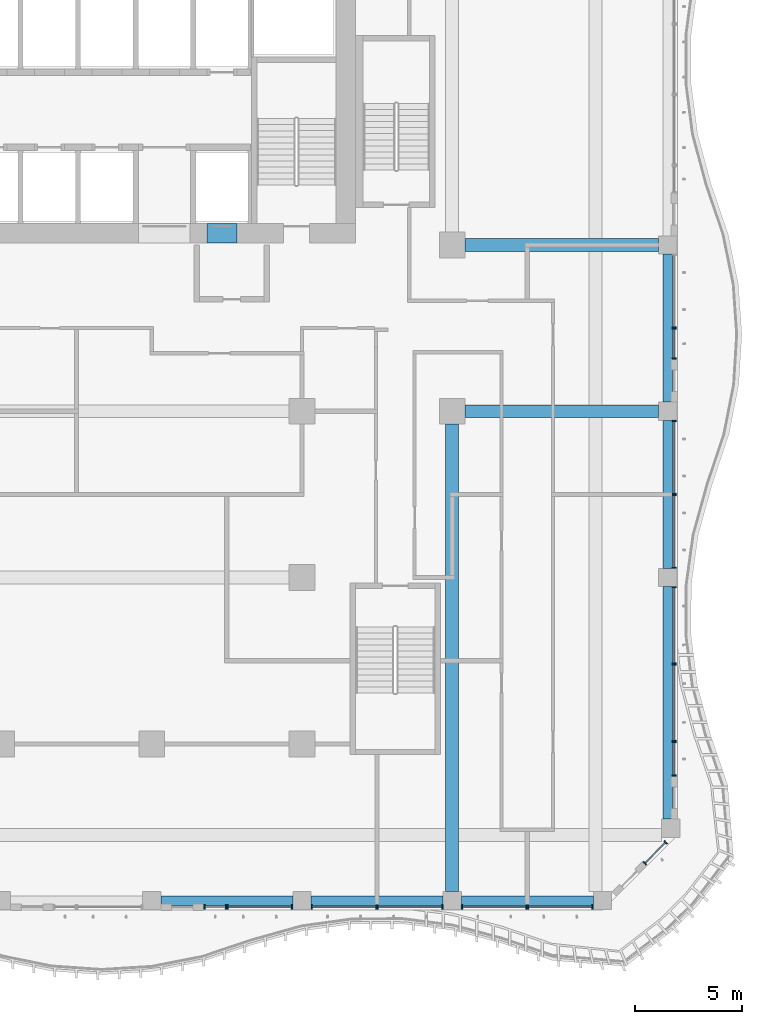
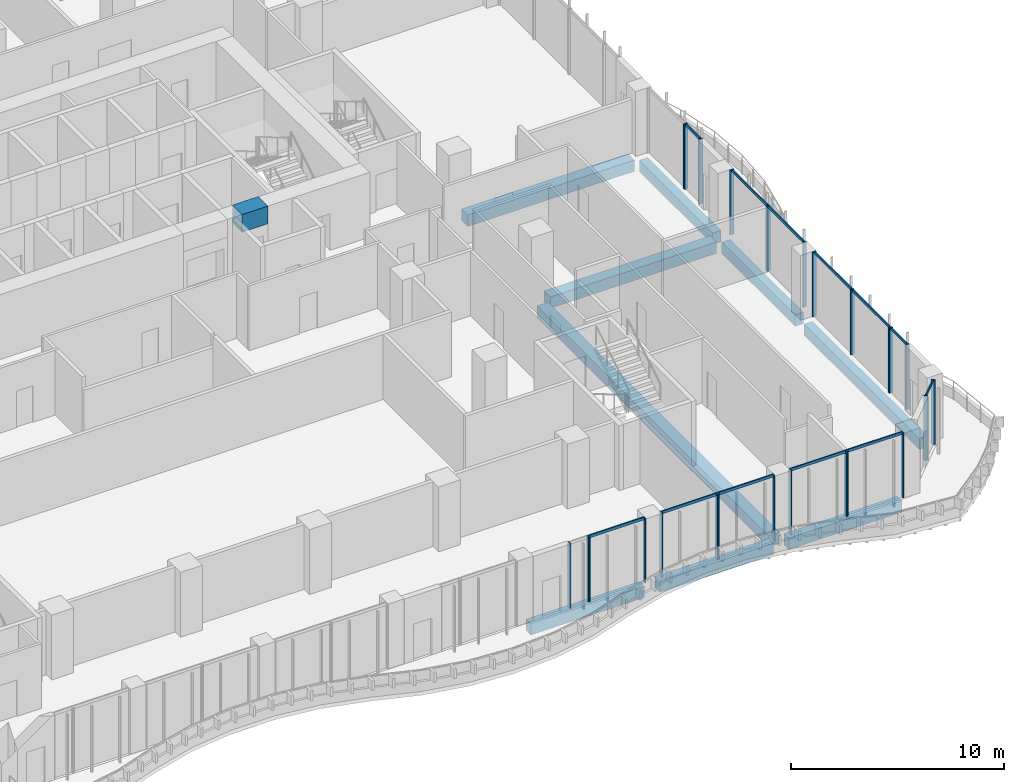
# One storey, part 6 of 27: 39 members, 10 beams, 14 elements without a shape of their own.
"""IFC4 building model written with IfcOpenShell, lengths in metres."""

from ifc_helpers import new_model, si_unit, direction, frame, origin, origin_2d, place, context, subcontext, project, spatial, rectangle, extrude, source, transform, mapped, material, material_profile, profile_set, type_object, element, aggregate, save


model = new_model("IFC4")

# Units and contexts
model_context = context("Model", 3, precision=1e-05, world=origin(), true_north=direction((0.0, 1.0)))
body_context = subcontext(model_context, "Body", "Model", "MODEL_VIEW")
ifc_project = project(units=[si_unit("LENGTHUNIT", "METRE"), si_unit("AREAUNIT", "SQUARE_METRE"), si_unit("VOLUMEUNIT", "CUBIC_METRE"), si_unit("PLANEANGLEUNIT", "RADIAN"), si_unit("MASSUNIT", "GRAM", prefix="KILO")], contexts=[model_context])

# Site, building, storey
site_placement = place(None, origin())
site = spatial("IfcSite", under=ifc_project, at=site_placement, CompositionType="ELEMENT")
building_placement = place(site_placement, origin())
building = spatial("IfcBuilding", under=site, at=building_placement, Name="Kilnfold Tower and Market Hall", CompositionType="ELEMENT")
storey_placement = place(building_placement, frame((0.0, 0.0, 112.60009765625)))
storey = spatial("IfcBuildingStorey", under=building, at=storey_placement, Name="L26", CompositionType="ELEMENT", Elevation=112.60009765625)

# Beams
ifc_material_1 = material(Name="Concrete C70", Category="concrete")
ifc_material_profile_1 = material_profile(ifc_material_1, rectangle(XDim=0.89990234375, YDim=1.02001953125, at=origin_2d()), Name="RC 900x1020")
ifc_profile_set_1 = profile_set([ifc_material_profile_1], Name="Concrete C70")
beam_type_1 = type_object("IfcBeamType", Name="COUPLING BEAM 900X1020 C70", PredefinedType="BEAM", material=ifc_profile_set_1)
shared_shape_1 = source(origin(), body_context, "Body", "SweptSolid", [
    extrude(rectangle(XDim=0.89990234375, YDim=1.02001953125, at=origin_2d()), origin(), (0.0, 0.0, 1.0), 1.39990234375),
])
beam_1_placement = place(storey_placement, frame((11.070068359375, 8.550048828125, 3.2099609375), z_axis=(1.0, 0.0, 0.0), x_axis=(0.0, 1.0, 0.0)))
element("IfcBeam", 1, at=beam_1_placement, inside=storey, type_object=beam_type_1, Name="Coupling beam CB1020-70-CORE.43", PredefinedType="BEAM", context=body_context, shape_type="MappedRepresentation", body=[
    mapped(shared_shape_1, transform((0.0, 0.0, 0.0))),
])
ifc_material_2 = material(Name="Concrete C45", Category="concrete")
ifc_material_profile_2 = material_profile(ifc_material_2, rectangle(XDim=0.449951171875, YDim=0.64990234375, at=origin_2d()), Name="RC 450x650")
ifc_profile_set_2 = profile_set([ifc_material_profile_2], Name="Concrete C45")
beam_type_2 = type_object("IfcBeamType", Name="EDGE BEAM 450X650 C45", PredefinedType="BEAM", material=ifc_profile_set_2)
shared_shape_2 = source(origin(), body_context, "Body", "SweptSolid", [
    extrude(rectangle(XDim=0.449951171875, YDim=0.64990234375, at=origin_2d()), origin(), (0.0, 0.0, 1.0), 6.14990234375),
])
for number, where, z_axis, x_axis, name in (
    (2, (8.925048828125, -22.550048828125, -0.60498046875), (1.0, 0.0, 0.0), (0.0, 1.0, 0.0), "Beam EB650-B3.56"),
    (3, (15.925048828125, -22.550048828125, -0.60498046875), (1.0, 0.0, 0.0), (0.0, 1.0, 0.0), "Beam EB650-B3.57"),
    (4, (22.925048828125, -22.550048828125, -0.60498046875), (1.0, 0.0, 0.0), (0.0, 1.0, 0.0), "Beam EB650-B3.58"),
):
    element("IfcBeam", number, at=place(storey_placement, frame(where, z_axis=z_axis, x_axis=x_axis)), inside=storey, type_object=beam_type_2, Name=name, PredefinedType="BEAM", context=body_context, shape_type="MappedRepresentation", body=[
        mapped(shared_shape_2, transform((0.0, 0.0, 0.0))),
    ])
ifc_material_3 = material(Name="Concrete C45", Category="concrete")
ifc_material_profile_3 = material_profile(ifc_material_3, rectangle(XDim=0.60009765625, YDim=0.64990234375, at=origin_2d()), Name="RC 600x650")
ifc_profile_set_3 = profile_set([ifc_material_profile_3], Name="Concrete C45")
beam_type_3 = type_object("IfcBeamType", Name="BEAM 600X650 C45", PredefinedType="BEAM", material=ifc_profile_set_3)
shared_shape_3 = source(origin(), body_context, "Body", "SweptSolid", [
    extrude(rectangle(XDim=0.60009765625, YDim=0.64990234375, at=origin_2d()), origin(), (0.0, 0.0, 1.0), 9.02490234375),
])
for number, where, z_axis, x_axis, name in (
    (5, (23.10009765625, 0.25, -0.60498046875), (1.0, 0.0, 0.0), (0.0, 1.0, 0.0), "Beam BB650-B3.63"),
    (6, (23.10009765625, 8.0, -0.60498046875), (1.0, 0.0, 0.0), (0.0, 1.0, 0.0), "Beam BB650-B3.64"),
):
    element("IfcBeam", number, at=place(storey_placement, frame(where, z_axis=z_axis, x_axis=x_axis)), inside=storey, type_object=beam_type_3, Name=name, PredefinedType="BEAM", context=body_context, shape_type="MappedRepresentation", body=[
        mapped(shared_shape_3, transform((0.0, 0.0, 0.0))),
    ])
shared_shape_4 = source(origin(), body_context, "Body", "SweptSolid", [
    extrude(rectangle(XDim=0.449951171875, YDim=0.64990234375, at=origin_2d()), origin(), (0.0, 0.0, 1.0), 6.89990234375),
])
for number, where, z_axis, x_axis, name in (
    (7, (32.550048828125, -7.074951171875, -0.60498046875), (0.0, 1.0, 0.0), (-1.0, 0.0, 0.0), "Beam EB650-B3.84"),
    (8, (32.550048828125, 0.675048828125, -0.60498046875), (0.0, 1.0, 0.0), (-1.0, 0.0, 0.0), "Beam EB650-B3.85"),
):
    element("IfcBeam", number, at=place(storey_placement, frame(where, z_axis=z_axis, x_axis=x_axis)), inside=storey, type_object=beam_type_2, Name=name, PredefinedType="BEAM", context=body_context, shape_type="MappedRepresentation", body=[
        mapped(shared_shape_4, transform((0.0, 0.0, 0.0))),
    ])
shared_shape_5 = source(origin(), body_context, "Body", "SweptSolid", [
    extrude(rectangle(XDim=0.60009765625, YDim=0.64990234375, at=origin_2d()), origin(), (0.0, 0.0, 1.0), 21.77490234375),
])
beam_2_placement = place(storey_placement, frame((22.5, -22.125, -0.60498046875), z_axis=(0.0, 1.0, 0.0), x_axis=(-1.0, 0.0, 0.0)))
element("IfcBeam", 9, at=beam_2_placement, inside=storey, type_object=beam_type_3, Name="Beam BB650-B3.80", PredefinedType="BEAM", context=body_context, shape_type="MappedRepresentation", body=[
    mapped(shared_shape_5, transform((0.0, 0.0, 0.0))),
])
shared_shape_6 = source(origin(), body_context, "Body", "SweptSolid", [
    extrude(rectangle(XDim=0.449951171875, YDim=0.64990234375, at=origin_2d()), origin(), (0.0, 0.0, 1.0), 10.831787109375),
])
beam_3_placement = place(storey_placement, frame((32.550048828125, -18.7568359375, -0.60498046875), z_axis=(0.0, 1.0, 0.0), x_axis=(-1.0, 0.0, 0.0)))
element("IfcBeam", 10, at=beam_3_placement, inside=storey, type_object=beam_type_2, Name="Beam EB650-B3.83", PredefinedType="BEAM", context=body_context, shape_type="MappedRepresentation", body=[
    mapped(shared_shape_6, transform((0.0, 0.0, 0.0))),
])

# Curtain wall, members
ifc_material_4 = material(Name="Aluminium and double glazing", Category="aluminium")
curtain_wall_type = type_object("IfcCurtainWallType", Name="CW OF2 VALLEY GLAZING", PredefinedType="NOTDEFINED", material=ifc_material_4)
curtain_wall_1_placement = place(storey_placement, origin())
curtain_wall_1 = element("IfcCurtainWall", 11, at=curtain_wall_1_placement, inside=storey, type_object=curtain_wall_type, Name="Curtain wall CW2 L26 S", PredefinedType="NOTDEFINED")
ifc_material_5 = material(Name="Aluminium", Category="aluminium")
ifc_material_profile_4 = material_profile(ifc_material_5, rectangle(XDim=0.06005859375, YDim=0.199951171875, at=origin_2d()), Name="MULLION 60x200")
ifc_profile_set_4 = profile_set([ifc_material_profile_4], Name="Aluminium")
member_type_1 = type_object("IfcMemberType", Name="MULLION 60X200", PredefinedType="MULLION", material=ifc_profile_set_4)
shared_shape_7 = source(origin(), body_context, "Body", "SweptSolid", [
    extrude(rectangle(XDim=0.06005859375, YDim=0.199951171875, at=origin_2d()), origin(), (0.0, 0.0, 1.0), 3.719970703125),
])
member_1_placement = place(storey_placement, frame((10.955078125, -22.85009765625, 0.0), z_axis=(0.0, 0.0, 1.0), x_axis=(1.0, 0.0, 0.0)))
member_1 = element("IfcMember", 12, at=member_1_placement, type_object=member_type_1, Name="CW2 mullion 1", PredefinedType="MULLION", context=body_context, shape_type="MappedRepresentation", body=[
    mapped(shared_shape_7, transform((0.0, 0.0, 0.0))),
])
member_2_placement = place(storey_placement, frame((11.969970703125, -22.85009765625, 0.0), z_axis=(0.0, 0.0, 1.0), x_axis=(1.0, 0.0, 0.0)))
member_2 = element("IfcMember", 13, at=member_2_placement, type_object=member_type_1, Name="CW2 mullion 2", PredefinedType="MULLION", context=body_context, shape_type="MappedRepresentation", body=[
    mapped(shared_shape_7, transform((0.0, 0.0, 0.0))),
])
aggregate(curtain_wall_1, [member_1, member_2])

curtain_wall_2_placement = place(storey_placement, origin())
curtain_wall_2 = element("IfcCurtainWall", 14, at=curtain_wall_2_placement, inside=storey, type_object=curtain_wall_type, Name="Curtain wall CW2 L26 S", PredefinedType="NOTDEFINED")
member_3_placement = place(storey_placement, frame((12.030029296875, -22.85009765625, 0.0), z_axis=(0.0, 0.0, 1.0), x_axis=(1.0, 0.0, 0.0)))
member_3 = element("IfcMember", 15, at=member_3_placement, type_object=member_type_1, Name="CW2 mullion 1", PredefinedType="MULLION", context=body_context, shape_type="MappedRepresentation", body=[
    mapped(shared_shape_7, transform((0.0, 0.0, 0.0))),
])
member_4_placement = place(storey_placement, frame((15.044921875, -22.85009765625, 0.0), z_axis=(0.0, 0.0, 1.0), x_axis=(1.0, 0.0, 0.0)))
member_4 = element("IfcMember", 16, at=member_4_placement, type_object=member_type_1, Name="CW2 mullion 2", PredefinedType="MULLION", context=body_context, shape_type="MappedRepresentation", body=[
    mapped(shared_shape_7, transform((0.0, 0.0, 0.0))),
])

curtain_wall_3_placement = place(storey_placement, origin())
curtain_wall_3 = element("IfcCurtainWall", 17, at=curtain_wall_3_placement, inside=storey, type_object=curtain_wall_type, Name="Curtain wall CW2 L26 S", PredefinedType="NOTDEFINED")
member_5_placement = place(storey_placement, frame((15.955078125, -22.85009765625, 0.0), z_axis=(0.0, 0.0, 1.0), x_axis=(1.0, 0.0, 0.0)))
member_5 = element("IfcMember", 18, at=member_5_placement, type_object=member_type_1, Name="CW2 mullion 1", PredefinedType="MULLION", context=body_context, shape_type="MappedRepresentation", body=[
    mapped(shared_shape_7, transform((0.0, 0.0, 0.0))),
])
member_6_placement = place(storey_placement, frame((18.969970703125, -22.85009765625, 0.0), z_axis=(0.0, 0.0, 1.0), x_axis=(1.0, 0.0, 0.0)))
member_6 = element("IfcMember", 19, at=member_6_placement, type_object=member_type_1, Name="CW2 mullion 2", PredefinedType="MULLION", context=body_context, shape_type="MappedRepresentation", body=[
    mapped(shared_shape_7, transform((0.0, 0.0, 0.0))),
])

curtain_wall_4_placement = place(storey_placement, origin())
curtain_wall_4 = element("IfcCurtainWall", 20, at=curtain_wall_4_placement, inside=storey, type_object=curtain_wall_type, Name="Curtain wall CW2 L26 S", PredefinedType="NOTDEFINED")
member_7_placement = place(storey_placement, frame((19.030029296875, -22.85009765625, 0.0), z_axis=(0.0, 0.0, 1.0), x_axis=(1.0, 0.0, 0.0)))
member_7 = element("IfcMember", 21, at=member_7_placement, type_object=member_type_1, Name="CW2 mullion 1", PredefinedType="MULLION", context=body_context, shape_type="MappedRepresentation", body=[
    mapped(shared_shape_7, transform((0.0, 0.0, 0.0))),
])
member_8_placement = place(storey_placement, frame((22.044921875, -22.85009765625, 0.0), z_axis=(0.0, 0.0, 1.0), x_axis=(1.0, 0.0, 0.0)))
member_8 = element("IfcMember", 22, at=member_8_placement, type_object=member_type_1, Name="CW2 mullion 2", PredefinedType="MULLION", context=body_context, shape_type="MappedRepresentation", body=[
    mapped(shared_shape_7, transform((0.0, 0.0, 0.0))),
])

curtain_wall_5_placement = place(storey_placement, origin())
curtain_wall_5 = element("IfcCurtainWall", 23, at=curtain_wall_5_placement, inside=storey, type_object=curtain_wall_type, Name="Curtain wall CW2 L26 S", PredefinedType="NOTDEFINED")
member_9_placement = place(storey_placement, frame((22.955078125, -22.85009765625, 0.0), z_axis=(0.0, 0.0, 1.0), x_axis=(1.0, 0.0, 0.0)))
member_9 = element("IfcMember", 24, at=member_9_placement, type_object=member_type_1, Name="CW2 mullion 1", PredefinedType="MULLION", context=body_context, shape_type="MappedRepresentation", body=[
    mapped(shared_shape_7, transform((0.0, 0.0, 0.0))),
])
member_10_placement = place(storey_placement, frame((25.969970703125, -22.85009765625, 0.0), z_axis=(0.0, 0.0, 1.0), x_axis=(1.0, 0.0, 0.0)))
member_10 = element("IfcMember", 25, at=member_10_placement, type_object=member_type_1, Name="CW2 mullion 2", PredefinedType="MULLION", context=body_context, shape_type="MappedRepresentation", body=[
    mapped(shared_shape_7, transform((0.0, 0.0, 0.0))),
])

curtain_wall_6_placement = place(storey_placement, origin())
curtain_wall_6 = element("IfcCurtainWall", 26, at=curtain_wall_6_placement, inside=storey, type_object=curtain_wall_type, Name="Curtain wall CW2 L26 S", PredefinedType="NOTDEFINED")
member_11_placement = place(storey_placement, frame((26.030029296875, -22.85009765625, 0.0), z_axis=(0.0, 0.0, 1.0), x_axis=(1.0, 0.0, 0.0)))
member_11 = element("IfcMember", 27, at=member_11_placement, type_object=member_type_1, Name="CW2 mullion 1", PredefinedType="MULLION", context=body_context, shape_type="MappedRepresentation", body=[
    mapped(shared_shape_7, transform((0.0, 0.0, 0.0))),
])
member_12_placement = place(storey_placement, frame((29.044921875, -22.85009765625, 0.0), z_axis=(0.0, 0.0, 1.0), x_axis=(1.0, 0.0, 0.0)))
member_12 = element("IfcMember", 28, at=member_12_placement, type_object=member_type_1, Name="CW2 mullion 2", PredefinedType="MULLION", context=body_context, shape_type="MappedRepresentation", body=[
    mapped(shared_shape_7, transform((0.0, 0.0, 0.0))),
])

curtain_wall_7_placement = place(storey_placement, origin())
curtain_wall_7 = element("IfcCurtainWall", 29, at=curtain_wall_7_placement, inside=storey, type_object=curtain_wall_type, Name="Curtain wall CW2 L26 SE", PredefinedType="NOTDEFINED")
member_13_placement = place(storey_placement, frame((31.479248046875, -20.80859375, 0.0), z_axis=(0.0, 0.0, 1.0), x_axis=(0.707106781187, 0.707106781187, 0.0)))
member_13 = element("IfcMember", 30, at=member_13_placement, type_object=member_type_1, Name="CW2 mullion 1", PredefinedType="MULLION", context=body_context, shape_type="MappedRepresentation", body=[
    mapped(shared_shape_7, transform((0.0, 0.0, 0.0))),
])
member_14_placement = place(storey_placement, frame((32.44775390625, -19.840087890625, 0.0), z_axis=(0.0, 0.0, 1.0), x_axis=(0.707106781187, 0.707106781187, 0.0)))
member_14 = element("IfcMember", 31, at=member_14_placement, type_object=member_type_1, Name="CW2 mullion 2", PredefinedType="MULLION", context=body_context, shape_type="MappedRepresentation", body=[
    mapped(shared_shape_7, transform((0.0, 0.0, 0.0))),
])

curtain_wall_8_placement = place(storey_placement, origin())
curtain_wall_8 = element("IfcCurtainWall", 32, at=curtain_wall_8_placement, inside=storey, type_object=curtain_wall_type, Name="Curtain wall CW2 L26 E", PredefinedType="NOTDEFINED")
member_15_placement = place(storey_placement, frame((32.85009765625, -16.726806640625, 0.0), z_axis=(0.0, 0.0, 1.0), x_axis=(0.0, 1.0, 0.0)))
member_15 = element("IfcMember", 33, at=member_15_placement, type_object=member_type_1, Name="CW2 mullion 1", PredefinedType="MULLION", context=body_context, shape_type="MappedRepresentation", body=[
    mapped(shared_shape_7, transform((0.0, 0.0, 0.0))),
])
member_16_placement = place(storey_placement, frame((32.85009765625, -15.17626953125, 0.0), z_axis=(0.0, 0.0, 1.0), x_axis=(0.0, 1.0, 0.0)))
member_16 = element("IfcMember", 34, at=member_16_placement, type_object=member_type_1, Name="CW2 mullion 2", PredefinedType="MULLION", context=body_context, shape_type="MappedRepresentation", body=[
    mapped(shared_shape_7, transform((0.0, 0.0, 0.0))),
])

curtain_wall_9_placement = place(storey_placement, origin())
curtain_wall_9 = element("IfcCurtainWall", 35, at=curtain_wall_9_placement, inside=storey, type_object=curtain_wall_type, Name="Curtain wall CW2 L26 E", PredefinedType="NOTDEFINED")
member_17_placement = place(storey_placement, frame((32.85009765625, -15.1162109375, 0.0), z_axis=(0.0, 0.0, 1.0), x_axis=(0.0, 1.0, 0.0)))
member_17 = element("IfcMember", 36, at=member_17_placement, type_object=member_type_1, Name="CW2 mullion 1", PredefinedType="MULLION", context=body_context, shape_type="MappedRepresentation", body=[
    mapped(shared_shape_7, transform((0.0, 0.0, 0.0))),
])
member_18_placement = place(storey_placement, frame((32.85009765625, -11.565673828125, 0.0), z_axis=(0.0, 0.0, 1.0), x_axis=(0.0, 1.0, 0.0)))
member_18 = element("IfcMember", 37, at=member_18_placement, type_object=member_type_1, Name="CW2 mullion 2", PredefinedType="MULLION", context=body_context, shape_type="MappedRepresentation", body=[
    mapped(shared_shape_7, transform((0.0, 0.0, 0.0))),
])

curtain_wall_10_placement = place(storey_placement, origin())
curtain_wall_10 = element("IfcCurtainWall", 38, at=curtain_wall_10_placement, inside=storey, type_object=curtain_wall_type, Name="Curtain wall CW2 L26 E", PredefinedType="NOTDEFINED")
member_19_placement = place(storey_placement, frame((32.85009765625, -11.505615234375, 0.0), z_axis=(0.0, 0.0, 1.0), x_axis=(0.0, 1.0, 0.0)))
member_19 = element("IfcMember", 39, at=member_19_placement, type_object=member_type_1, Name="CW2 mullion 1", PredefinedType="MULLION", context=body_context, shape_type="MappedRepresentation", body=[
    mapped(shared_shape_7, transform((0.0, 0.0, 0.0))),
])
member_20_placement = place(storey_placement, frame((32.85009765625, -7.955078125, 0.0), z_axis=(0.0, 0.0, 1.0), x_axis=(0.0, 1.0, 0.0)))
member_20 = element("IfcMember", 40, at=member_20_placement, type_object=member_type_1, Name="CW2 mullion 2", PredefinedType="MULLION", context=body_context, shape_type="MappedRepresentation", body=[
    mapped(shared_shape_7, transform((0.0, 0.0, 0.0))),
])

curtain_wall_11_placement = place(storey_placement, origin())
curtain_wall_11 = element("IfcCurtainWall", 41, at=curtain_wall_11_placement, inside=storey, type_object=curtain_wall_type, Name="Curtain wall CW2 L26 E", PredefinedType="NOTDEFINED")
member_21_placement = place(storey_placement, frame((32.85009765625, -7.044921875, 0.0), z_axis=(0.0, 0.0, 1.0), x_axis=(0.0, 1.0, 0.0)))
member_21 = element("IfcMember", 42, at=member_21_placement, type_object=member_type_1, Name="CW2 mullion 1", PredefinedType="MULLION", context=body_context, shape_type="MappedRepresentation", body=[
    mapped(shared_shape_7, transform((0.0, 0.0, 0.0))),
])
member_22_placement = place(storey_placement, frame((32.85009765625, -3.655029296875, 0.0), z_axis=(0.0, 0.0, 1.0), x_axis=(0.0, 1.0, 0.0)))
member_22 = element("IfcMember", 43, at=member_22_placement, type_object=member_type_1, Name="CW2 mullion 2", PredefinedType="MULLION", context=body_context, shape_type="MappedRepresentation", body=[
    mapped(shared_shape_7, transform((0.0, 0.0, 0.0))),
])

curtain_wall_12_placement = place(storey_placement, origin())
curtain_wall_12 = element("IfcCurtainWall", 44, at=curtain_wall_12_placement, inside=storey, type_object=curtain_wall_type, Name="Curtain wall CW2 L26 E", PredefinedType="NOTDEFINED")
member_23_placement = place(storey_placement, frame((32.85009765625, -3.594970703125, 0.0), z_axis=(0.0, 0.0, 1.0), x_axis=(0.0, 1.0, 0.0)))
member_23 = element("IfcMember", 45, at=member_23_placement, type_object=member_type_1, Name="CW2 mullion 1", PredefinedType="MULLION", context=body_context, shape_type="MappedRepresentation", body=[
    mapped(shared_shape_7, transform((0.0, 0.0, 0.0))),
])
member_24_placement = place(storey_placement, frame((32.85009765625, -0.205078125, 0.0), z_axis=(0.0, 0.0, 1.0), x_axis=(0.0, 1.0, 0.0)))
member_24 = element("IfcMember", 46, at=member_24_placement, type_object=member_type_1, Name="CW2 mullion 2", PredefinedType="MULLION", context=body_context, shape_type="MappedRepresentation", body=[
    mapped(shared_shape_7, transform((0.0, 0.0, 0.0))),
])

curtain_wall_13_placement = place(storey_placement, origin())
curtain_wall_13 = element("IfcCurtainWall", 47, at=curtain_wall_13_placement, inside=storey, type_object=curtain_wall_type, Name="Curtain wall CW2 L26 E", PredefinedType="NOTDEFINED")
member_25_placement = place(storey_placement, frame((32.85009765625, 2.705078125, 0.0), z_axis=(0.0, 0.0, 1.0), x_axis=(0.0, 1.0, 0.0)))
member_25 = element("IfcMember", 48, at=member_25_placement, type_object=member_type_1, Name="CW2 mullion 1", PredefinedType="MULLION", context=body_context, shape_type="MappedRepresentation", body=[
    mapped(shared_shape_7, transform((0.0, 0.0, 0.0))),
])
member_26_placement = place(storey_placement, frame((32.85009765625, 4.094970703125, 0.0), z_axis=(0.0, 0.0, 1.0), x_axis=(0.0, 1.0, 0.0)))
member_26 = element("IfcMember", 49, at=member_26_placement, type_object=member_type_1, Name="CW2 mullion 2", PredefinedType="MULLION", context=body_context, shape_type="MappedRepresentation", body=[
    mapped(shared_shape_7, transform((0.0, 0.0, 0.0))),
])

# Curtain wall, member
curtain_wall_14_placement = place(storey_placement, origin())
curtain_wall_14 = element("IfcCurtainWall", 50, at=curtain_wall_14_placement, inside=storey, type_object=curtain_wall_type, Name="Curtain wall CW2 L26 E", PredefinedType="NOTDEFINED")
member_27_placement = place(storey_placement, frame((32.85009765625, 4.155029296875, 0.0), z_axis=(0.0, 0.0, 1.0), x_axis=(0.0, 1.0, 0.0)))
member_27 = element("IfcMember", 51, at=member_27_placement, type_object=member_type_1, Name="CW2 mullion 1", PredefinedType="MULLION", context=body_context, shape_type="MappedRepresentation", body=[
    mapped(shared_shape_7, transform((0.0, 0.0, 0.0))),
])
aggregate(curtain_wall_14, [member_27])

# Member
ifc_material_6 = material(Name="Aluminium", Category="aluminium")
ifc_material_profile_5 = material_profile(ifc_material_6, rectangle(XDim=0.06005859375, YDim=0.159912109375, at=origin_2d()), Name="TRANSOM 60x160")
ifc_profile_set_5 = profile_set([ifc_material_profile_5], Name="Aluminium")
member_type_2 = type_object("IfcMemberType", Name="TRANSOM 60X160", PredefinedType="USERDEFINED", material=ifc_profile_set_5)
shared_shape_8 = source(origin(), body_context, "Body", "SweptSolid", [
    extrude(rectangle(XDim=0.06005859375, YDim=0.159912109375, at=origin_2d()), origin(), (0.0, 0.0, 1.0), 2.954833984375),
])
member_28_placement = place(storey_placement, frame((12.06005859375, -22.85009765625, 3.68994140625), z_axis=(1.0, 0.0, 0.0), x_axis=(0.0, 1.0, 0.0)))
member_28 = element("IfcMember", 52, at=member_28_placement, type_object=member_type_2, Name="CW2 transom 1.2", ObjectType="TRANSOM", PredefinedType="USERDEFINED", context=body_context, shape_type="MappedRepresentation", body=[
    mapped(shared_shape_8, transform((0.0, 0.0, 0.0))),
])

aggregate(curtain_wall_2, [member_3, member_4, member_28])

member_29_placement = place(storey_placement, frame((15.985107421875, -22.85009765625, 3.68994140625), z_axis=(1.0, 0.0, 0.0), x_axis=(0.0, 1.0, 0.0)))
member_29 = element("IfcMember", 53, at=member_29_placement, type_object=member_type_2, Name="CW2 transom 1.2", ObjectType="TRANSOM", PredefinedType="USERDEFINED", context=body_context, shape_type="MappedRepresentation", body=[
    mapped(shared_shape_8, transform((0.0, 0.0, 0.0))),
])

aggregate(curtain_wall_3, [member_5, member_6, member_29])

member_30_placement = place(storey_placement, frame((19.06005859375, -22.85009765625, 3.68994140625), z_axis=(1.0, 0.0, 0.0), x_axis=(0.0, 1.0, 0.0)))
member_30 = element("IfcMember", 54, at=member_30_placement, type_object=member_type_2, Name="CW2 transom 1.2", ObjectType="TRANSOM", PredefinedType="USERDEFINED", context=body_context, shape_type="MappedRepresentation", body=[
    mapped(shared_shape_8, transform((0.0, 0.0, 0.0))),
])

aggregate(curtain_wall_4, [member_7, member_8, member_30])

member_31_placement = place(storey_placement, frame((22.985107421875, -22.85009765625, 3.68994140625), z_axis=(1.0, 0.0, 0.0), x_axis=(0.0, 1.0, 0.0)))
member_31 = element("IfcMember", 55, at=member_31_placement, type_object=member_type_2, Name="CW2 transom 1.2", ObjectType="TRANSOM", PredefinedType="USERDEFINED", context=body_context, shape_type="MappedRepresentation", body=[
    mapped(shared_shape_8, transform((0.0, 0.0, 0.0))),
])

aggregate(curtain_wall_5, [member_9, member_10, member_31])

member_32_placement = place(storey_placement, frame((26.06005859375, -22.85009765625, 3.68994140625), z_axis=(1.0, 0.0, 0.0), x_axis=(0.0, 1.0, 0.0)))
member_32 = element("IfcMember", 56, at=member_32_placement, type_object=member_type_2, Name="CW2 transom 1.2", ObjectType="TRANSOM", PredefinedType="USERDEFINED", context=body_context, shape_type="MappedRepresentation", body=[
    mapped(shared_shape_8, transform((0.0, 0.0, 0.0))),
])

aggregate(curtain_wall_6, [member_11, member_12, member_32])

shared_shape_9 = source(origin(), body_context, "Body", "SweptSolid", [
    extrude(rectangle(XDim=0.06005859375, YDim=0.159912109375, at=origin_2d()), origin(), (0.0, 0.0, 1.0), 1.3095703125),
])
member_33_placement = place(storey_placement, frame((31.50048828125, -20.787353515625, 3.68994140625), z_axis=(0.707106781187, 0.707106781187, 0.0), x_axis=(-0.707106781187, 0.707106781187, 0.0)))
member_33 = element("IfcMember", 57, at=member_33_placement, type_object=member_type_2, Name="CW2 transom 1.2", ObjectType="TRANSOM", PredefinedType="USERDEFINED", context=body_context, shape_type="MappedRepresentation", body=[
    mapped(shared_shape_9, transform((0.0, 0.0, 0.0))),
])

aggregate(curtain_wall_7, [member_13, member_14, member_33])

shared_shape_10 = source(origin(), body_context, "Body", "SweptSolid", [
    extrude(rectangle(XDim=0.06005859375, YDim=0.159912109375, at=origin_2d()), origin(), (0.0, 0.0, 1.0), 3.490478515625),
])
member_34_placement = place(storey_placement, frame((32.85009765625, -15.086181640625, 3.68994140625), z_axis=(0.0, 1.0, 0.0), x_axis=(-1.0, 0.0, 0.0)))
member_34 = element("IfcMember", 58, at=member_34_placement, type_object=member_type_2, Name="CW2 transom 1.2", ObjectType="TRANSOM", PredefinedType="USERDEFINED", context=body_context, shape_type="MappedRepresentation", body=[
    mapped(shared_shape_10, transform((0.0, 0.0, 0.0))),
])

aggregate(curtain_wall_9, [member_17, member_18, member_34])

member_35_placement = place(storey_placement, frame((32.85009765625, -11.4755859375, 3.68994140625), z_axis=(0.0, 1.0, 0.0), x_axis=(-1.0, 0.0, 0.0)))
member_35 = element("IfcMember", 59, at=member_35_placement, type_object=member_type_2, Name="CW2 transom 1.2", ObjectType="TRANSOM", PredefinedType="USERDEFINED", context=body_context, shape_type="MappedRepresentation", body=[
    mapped(shared_shape_10, transform((0.0, 0.0, 0.0))),
])

aggregate(curtain_wall_10, [member_19, member_20, member_35])

shared_shape_11 = source(origin(), body_context, "Body", "SweptSolid", [
    extrude(rectangle(XDim=0.06005859375, YDim=0.159912109375, at=origin_2d()), origin(), (0.0, 0.0, 1.0), 3.329833984375),
])
member_36_placement = place(storey_placement, frame((32.85009765625, -7.014892578125, 3.68994140625), z_axis=(0.0, 1.0, 0.0), x_axis=(-1.0, 0.0, 0.0)))
member_36 = element("IfcMember", 60, at=member_36_placement, type_object=member_type_2, Name="CW2 transom 1.2", ObjectType="TRANSOM", PredefinedType="USERDEFINED", context=body_context, shape_type="MappedRepresentation", body=[
    mapped(shared_shape_11, transform((0.0, 0.0, 0.0))),
])

aggregate(curtain_wall_11, [member_21, member_22, member_36])

member_37_placement = place(storey_placement, frame((32.85009765625, -3.56494140625, 3.68994140625), z_axis=(0.0, 1.0, 0.0), x_axis=(-1.0, 0.0, 0.0)))
member_37 = element("IfcMember", 61, at=member_37_placement, type_object=member_type_2, Name="CW2 transom 1.2", ObjectType="TRANSOM", PredefinedType="USERDEFINED", context=body_context, shape_type="MappedRepresentation", body=[
    mapped(shared_shape_11, transform((0.0, 0.0, 0.0))),
])

aggregate(curtain_wall_12, [member_23, member_24, member_37])

shared_shape_12 = source(origin(), body_context, "Body", "SweptSolid", [
    extrude(rectangle(XDim=0.06005859375, YDim=0.159912109375, at=origin_2d()), origin(), (0.0, 0.0, 1.0), 1.490478515625),
])
member_38_placement = place(storey_placement, frame((32.85009765625, -16.69677734375, 3.68994140625), z_axis=(0.0, 1.0, 0.0), x_axis=(-1.0, 0.0, 0.0)))
member_38 = element("IfcMember", 62, at=member_38_placement, type_object=member_type_2, Name="CW2 transom 1.2", ObjectType="TRANSOM", PredefinedType="USERDEFINED", context=body_context, shape_type="MappedRepresentation", body=[
    mapped(shared_shape_12, transform((0.0, 0.0, 0.0))),
])

aggregate(curtain_wall_8, [member_15, member_16, member_38])

shared_shape_13 = source(origin(), body_context, "Body", "SweptSolid", [
    extrude(rectangle(XDim=0.06005859375, YDim=0.159912109375, at=origin_2d()), origin(), (0.0, 0.0, 1.0), 1.329833984375),
])
member_39_placement = place(storey_placement, frame((32.85009765625, 2.735107421875, 3.68994140625), z_axis=(0.0, 1.0, 0.0), x_axis=(-1.0, 0.0, 0.0)))
member_39 = element("IfcMember", 63, at=member_39_placement, type_object=member_type_2, Name="CW2 transom 1.2", ObjectType="TRANSOM", PredefinedType="USERDEFINED", context=body_context, shape_type="MappedRepresentation", body=[
    mapped(shared_shape_13, transform((0.0, 0.0, 0.0))),
])

aggregate(curtain_wall_13, [member_25, member_26, member_39])

save(model, "model.ifc")
